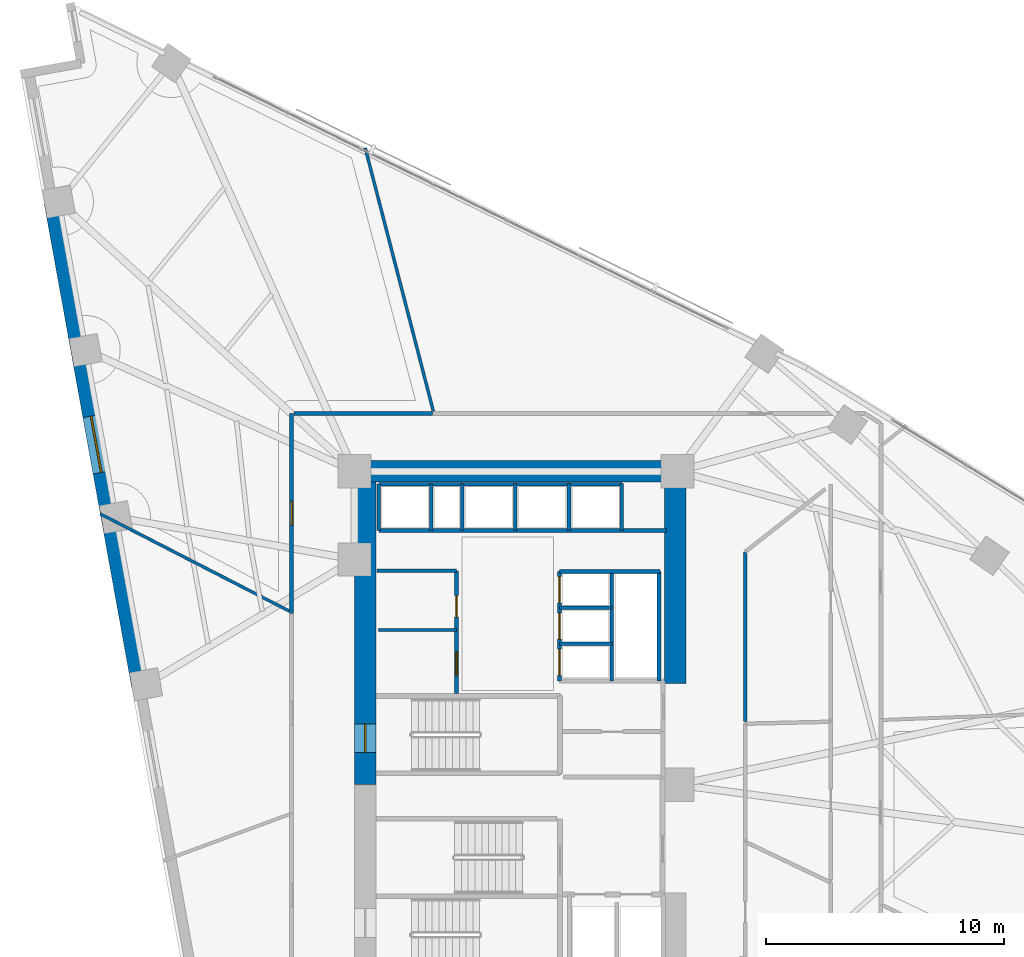
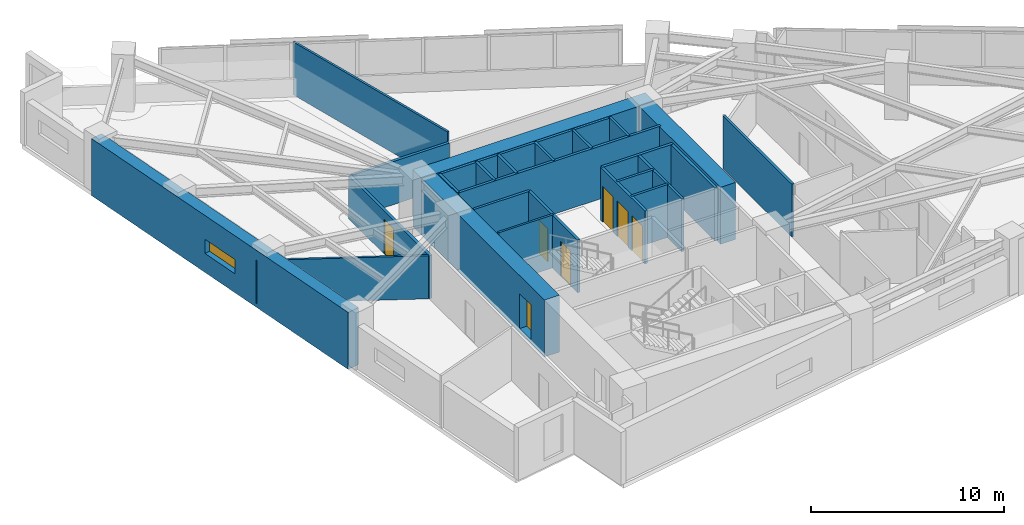
# One storey, part 14 of 19: 27 walls, 7 doors, 1 window, 8 openings.
"""IFC4 building model written with IfcOpenShell, lengths in metres."""

from ifc_helpers import new_model, si_unit, direction, frame, frame_2d, origin, place, context, subcontext, project, spatial, rectangle, extrude, material, layer, layer_set, type_object, element, fill, save


model = new_model("IFC4")

# Units and contexts
model_context = context("Model", 3, precision=1e-05, world=origin(), true_north=direction((0.0, 1.0)))
body_context = subcontext(model_context, "Body", "Model", "MODEL_VIEW")
ifc_project = project(units=[si_unit("LENGTHUNIT", "METRE"), si_unit("AREAUNIT", "SQUARE_METRE"), si_unit("VOLUMEUNIT", "CUBIC_METRE"), si_unit("PLANEANGLEUNIT", "RADIAN"), si_unit("MASSUNIT", "GRAM", prefix="KILO")], contexts=[model_context])

# Site, building, storey
site_placement = place(None, origin())
site = spatial("IfcSite", under=ifc_project, at=site_placement, CompositionType="ELEMENT")
building_placement = place(site_placement, origin())
building = spatial("IfcBuilding", under=site, at=building_placement, Name="Narakoshi Arena Tower", CompositionType="ELEMENT")
storey_placement = place(building_placement, frame((0.0, 0.0, 113.699951171875)))
storey = spatial("IfcBuildingStorey", under=building, at=storey_placement, Name="L30", CompositionType="ELEMENT", Elevation=113.699951171875)

# Wall, opening, door
ifc_material_1 = material(Name="Concrete C60/75", Category="concrete")
ifc_layer_1 = layer(ifc_material_1, 0.89990234375)
ifc_layer_set_1 = layer_set([ifc_layer_1], Name="Concrete C60/75")
wall_type_1 = type_object("IfcWallType", Name="WL-CORE-900", PredefinedType="SHEAR", material=ifc_layer_set_1)
wall_1_placement = place(storey_placement, frame((72.449951171875, 43.35009765625, -0.260009765625), z_axis=(0.0, 0.0, 1.0), x_axis=(0.0, 1.0, 0.0)))
wall_1 = element("IfcWall", 1, at=wall_1_placement, inside=storey, type_object=wall_type_1, Name="L30 Main Core Shear Wall CW-MN-W", PredefinedType="SHEAR", context=body_context, shape_type="SweptSolid", body=[
    extrude(rectangle(XDim=12.699951171875, YDim=0.89990234375, at=frame_2d((6.35009765625, 0.0))), origin(), (0.0, 0.0, 1.0), 3.60009765625),
])
opening_1_placement = place(wall_1_placement, frame((1.35009765625, 0.0, 0.260009765625)))
opening_1 = element("IfcOpeningElement", 2, at=opening_1_placement, cuts=wall_1, Name="Opening D-03", PredefinedType="OPENING", context=body_context, shape_type="SweptSolid", body=[
    extrude(rectangle(XDim=1.199951171875, YDim=2.199951171875, at=frame_2d((0.60009765625, 1.10009765625))), frame((0.0, 0.4599609375, 0.0), z_axis=(0.0, -1.0, 0.0), x_axis=(1.0, 0.0, 0.0)), (0.0, 0.0, 1.0), 0.919921875),
])
ifc_material_2 = material(Name="Painted galvanized steel", Category="steel")
door_type_1 = type_object("IfcDoorType", Name="DR-STR-1200", OperationType="NOTDEFINED", PredefinedType="USERDEFINED", material=ifc_material_2)
door_1_placement = place(opening_1_placement, frame((1.199951171875, 0.0, 0.0), z_axis=(0.0, 0.0, 1.0), x_axis=(-1.0, 0.0, 0.0)))
door_1 = element("IfcDoor", 3, at=door_1_placement, inside=storey, type_object=door_type_1, Name="DR-L30-007", ObjectType="EXITDOOR", OperationType="SINGLE_SWING_LEFT", OverallHeight=2.199951171875, OverallWidth=1.199951171875, PredefinedType="USERDEFINED", context=body_context, shape_type="SweptSolid", body=[
    extrude(rectangle(XDim=1.199951171875, YDim=2.199951171875, at=frame_2d((0.60009765625, 1.10009765625))), frame((0.0, 0.02490234375, 0.0), z_axis=(0.0, -1.0, 0.0), x_axis=(1.0, 0.0, 0.0)), (0.0, 0.0, 1.0), 0.050048828125),
])
fill(opening_1, door_1)

# Walls
wall_2_placement = place(storey_placement, frame((72.0, 56.5, -0.260009765625), z_axis=(0.0, 0.0, 1.0), x_axis=(1.0, 0.0, 0.0)))
element("IfcWall", 4, at=wall_2_placement, inside=storey, type_object=wall_type_1, Name="L30 Main Core Shear Wall CW-MN-N", PredefinedType="SHEAR", context=body_context, shape_type="SweptSolid", body=[
    extrude(rectangle(XDim=13.89990234375, YDim=0.89990234375, at=frame_2d((6.949951171875, 0.0))), origin(), (0.0, 0.0, 1.0), 3.60009765625),
])
wall_3_placement = place(storey_placement, frame((85.449951171875, 47.60009765625, -0.260009765625), z_axis=(0.0, 0.0, 1.0), x_axis=(0.0, 1.0, 0.0)))
element("IfcWall", 5, at=wall_3_placement, inside=storey, type_object=wall_type_1, Name="L30 Main Core Shear Wall CW-MN-E", PredefinedType="SHEAR", context=body_context, shape_type="SweptSolid", body=[
    extrude(rectangle(XDim=8.449951171875, YDim=0.89990234375, at=frame_2d((4.22509765625, 0.0))), origin(), (0.0, 0.0, 1.0), 3.60009765625),
])

# Wall, opening, door
ifc_material_3 = material(Name="Gypsum plasterboard fire-rated partition")
ifc_layer_2 = layer(ifc_material_3, 0.1650390625)
ifc_layer_set_2 = layer_set([ifc_layer_2], Name="Gypsum plasterboard fire-rated partition")
wall_type_2 = type_object("IfcWallType", Name="WL-CORR-165", PredefinedType="PARTITIONING", material=ifc_layer_set_2)
wall_4_placement = place(storey_placement, frame((69.364990234375, 58.927978515625, 0.0), z_axis=(0.0, 0.0, 1.0), x_axis=(0.0, -1.0, 0.0)))
wall_4 = element("IfcWall", 6, at=wall_4_placement, inside=storey, type_object=wall_type_2, Name="L30 Corridor Partition 08-1", PredefinedType="PARTITIONING", context=body_context, shape_type="SweptSolid", body=[
    extrude(rectangle(XDim=8.383544921875, YDim=0.1650390625, at=frame_2d((4.19189453125, 0.0))), origin(), (0.0, 0.0, 1.0), 2.72509765625),
])
opening_2_placement = place(wall_4_placement, frame((3.691650390625, 0.0, 0.0)))
opening_2 = element("IfcOpeningElement", 7, at=opening_2_placement, cuts=wall_4, Name="Opening D-06", PredefinedType="OPENING", context=body_context, shape_type="SweptSolid", body=[
    extrude(rectangle(XDim=1.0, YDim=2.199951171875, at=frame_2d((0.5, 1.10009765625))), frame((0.0, 0.092529296875, 0.0), z_axis=(0.0, -1.0, 0.0), x_axis=(1.0, 0.0, 0.0)), (0.0, 0.0, 1.0), 0.18505859375),
])
ifc_material_4 = material(Name="Stained oak solid-core timber", Category="wood")
door_type_2 = type_object("IfcDoorType", Name="DR-OFF-1000", OperationType="NOTDEFINED", PredefinedType="DOOR", material=ifc_material_4)
door_2_placement = place(opening_2_placement, frame((1.0, 0.0, 0.0), z_axis=(0.0, 0.0, 1.0), x_axis=(-1.0, 0.0, 0.0)))
door_2 = element("IfcDoor", 8, at=door_2_placement, inside=storey, type_object=door_type_2, Name="DR-L30-022", OperationType="SINGLE_SWING_LEFT", OverallHeight=2.199951171875, OverallWidth=1.0, PredefinedType="DOOR", context=body_context, shape_type="SweptSolid", body=[
    extrude(rectangle(XDim=1.0, YDim=2.199951171875, at=frame_2d((0.5, 1.10009765625))), frame((0.0, 0.02490234375, 0.0), z_axis=(0.0, -1.0, 0.0), x_axis=(1.0, 0.0, 0.0)), (0.0, 0.0, 1.0), 0.050048828125),
])
fill(opening_2, door_2)

# Wall
wall_5_placement = place(storey_placement, frame((75.271484375, 58.927978515625, 0.0), z_axis=(0.0, 0.0, 1.0), x_axis=(-1.0, 0.0, 0.0)))
element("IfcWall", 9, at=wall_5_placement, inside=storey, type_object=wall_type_2, Name="L30 Corridor Partition 08-2", PredefinedType="PARTITIONING", context=body_context, shape_type="SweptSolid", body=[
    extrude(rectangle(XDim=5.81201171875, YDim=0.1650390625, at=frame_2d((2.906005859375, 0.0))), origin(), (0.0, 0.0, 1.0), 2.72509765625),
])

# Wall, opening, window
ifc_layer_3 = layer(ifc_material_1, 0.699951171875)
ifc_layer_set_3 = layer_set([ifc_layer_3], Name="Concrete C60/75")
wall_type_3 = type_object("IfcWallType", Name="WL-LEG-700", PredefinedType="SHEAR", material=ifc_layer_set_3)
wall_6_placement = place(storey_placement, frame((59.327880859375, 67.767822265625, -0.260009765625), z_axis=(0.0, 0.0, 1.0), x_axis=(0.177933213615, -0.984042565895, 0.0)))
wall_6 = element("IfcWall", 10, at=wall_6_placement, inside=storey, type_object=wall_type_3, Name="L30 Architectural Concrete Structural Wall LEGB-2", PredefinedType="SHEAR", context=body_context, shape_type="SweptSolid", body=[
    extrude(rectangle(XDim=20.57861328125, YDim=0.699951171875, at=frame_2d((10.289306640625, 0.0))), origin(), (0.0, 0.0, 1.0), 3.60009765625),
])
opening_3_placement = place(wall_6_placement, frame((9.10009765625, 0.0, 1.199951171875)))
opening_3 = element("IfcOpeningElement", 11, at=opening_3_placement, cuts=wall_6, Name="Opening WN-01", PredefinedType="OPENING", context=body_context, shape_type="SweptSolid", body=[
    extrude(rectangle(XDim=2.39990234375, YDim=0.89990234375, at=frame_2d((1.199951171875, 0.449951171875))), frame((0.0, 0.35986328125, 0.0), z_axis=(0.0, -1.0, 0.0), x_axis=(1.0, 0.0, 0.0)), (0.0, 0.0, 1.0), 0.719970703125),
])
ifc_material_5 = material(Name="Bronze-tinted low-E laminated glass", Category="glass")
window_type = type_object("IfcWindowType", Name="WIN-SLT-24x09", PartitioningType="SINGLE_PANEL", PredefinedType="WINDOW", material=ifc_material_5)
window_placement = place(opening_3_placement, origin())
window = element("IfcWindow", 12, at=window_placement, inside=storey, type_object=window_type, Name="L30 LEGB2 Horizontal Slot Window 1", OverallHeight=0.89990234375, OverallWidth=2.39990234375, PartitioningType="SINGLE_PANEL", PredefinedType="WINDOW", context=body_context, shape_type="SweptSolid", body=[
    extrude(rectangle(XDim=2.39990234375, YDim=0.89990234375, at=frame_2d((1.199951171875, 0.449951171875))), frame((0.0, 0.030029296875, 0.0), z_axis=(0.0, -1.0, 0.0), x_axis=(1.0, 0.0, 0.0)), (0.0, 0.0, 1.0), 0.06005859375),
])
fill(opening_3, window)

# Walls
ifc_layer_4 = layer(ifc_material_3, 0.125)
ifc_layer_set_4 = layer_set([ifc_layer_4], Name="Gypsum plasterboard fire-rated partition")
wall_type_4 = type_object("IfcWallType", Name="WL-PART-125", PredefinedType="PARTITIONING", material=ifc_layer_set_4)
wall_7_placement = place(storey_placement, frame((73.0, 49.85009765625, 0.0), z_axis=(0.0, 0.0, 1.0), x_axis=(1.0, 0.0, 0.0)))
element("IfcWall", 13, at=wall_7_placement, inside=storey, type_object=wall_type_4, Name="L30 Core Wall RCL-LR-D0", PredefinedType="PARTITIONING", context=body_context, shape_type="SweptSolid", body=[
    extrude(rectangle(XDim=3.280029296875, YDim=0.125, at=frame_2d((1.64013671875, 0.0))), origin(), (0.0, 0.0, 1.0), 3.340087890625),
])
wall_8_placement = place(storey_placement, frame((75.306884765625, 59.0224609375, 0.0), z_axis=(0.0, 0.0, 1.0), x_axis=(-0.250514518309, 0.968112842656, 0.0)))
element("IfcWall", 14, at=wall_8_placement, inside=storey, type_object=wall_type_4, Name="L30 Inter-Room Partition 07-08", PredefinedType="PARTITIONING", context=body_context, shape_type="SweptSolid", body=[
    extrude(rectangle(XDim=11.4140625, YDim=0.125, at=frame_2d((5.70703125, 0.0))), origin(), (0.0, 0.0, 1.0), 3.340087890625),
])
wall_9_placement = place(storey_placement, frame((69.2705078125, 50.6337890625, 0.0), z_axis=(0.0, 0.0, 1.0), x_axis=(-0.889409837341, 0.457110644418, 0.0)))
element("IfcWall", 15, at=wall_9_placement, inside=storey, type_object=wall_type_4, Name="L30 Inter-Room Partition 08-09", PredefinedType="PARTITIONING", context=body_context, shape_type="SweptSolid", body=[
    extrude(rectangle(XDim=8.9248046875, YDim=0.125, at=frame_2d((4.46240234375, 0.0))), origin(), (0.0, 0.0, 1.0), 2.72509765625),
])
ifc_material_6 = material(Name="Concrete C40/50", Category="concrete")
ifc_layer_5 = layer(ifc_material_6, 0.280029296875)
ifc_layer_set_5 = layer_set([ifc_layer_5], Name="Concrete C40/50")
wall_type_5 = type_object("IfcWallType", Name="WL-RISER-280", PredefinedType="PLUMBINGWALL", material=ifc_layer_set_5)
for number, where, z_axis, x_axis, name in (
    (16, (80.60009765625, 49.260009765625, 0.0), (0.0, 0.0, 1.0), (1.0, 0.0, 0.0), "L30 Core Wall MR-D1"),
    (17, (80.60009765625, 50.780029296875, 0.0), (0.0, 0.0, 1.0), (1.0, 0.0, 0.0), "L30 Core Wall MR-D2"),
):
    element("IfcWall", number, at=place(storey_placement, frame(where, z_axis=z_axis, x_axis=x_axis)), inside=storey, type_object=wall_type_5, Name=name, PredefinedType="PLUMBINGWALL", context=body_context, shape_type="SweptSolid", body=[
        extrude(rectangle(XDim=2.199951171875, YDim=0.14990234375, at=frame_2d((1.10009765625, 0.0))), origin(), (0.0, 0.0, 1.0), 3.340087890625),
    ])
wall_10_placement = place(storey_placement, frame((82.800048828125, 47.699951171875, 0.0), z_axis=(0.0, 0.0, 1.0), x_axis=(0.0, 1.0, 0.0)))
element("IfcWall", 18, at=wall_10_placement, inside=storey, type_object=wall_type_5, Name="L30 Core Wall MR-E", PredefinedType="PLUMBINGWALL", context=body_context, shape_type="SweptSolid", body=[
    extrude(rectangle(XDim=4.60009765625, YDim=0.14990234375, at=frame_2d((2.300048828125, 0.0))), origin(), (0.0, 0.0, 1.0), 3.340087890625),
])
for number, where, z_axis, x_axis, name in (
    (19, (73.02001953125, 54.02001953125, 0.0), (0.0, 0.0, 1.0), (0.0, 1.0, 0.0), "L30 Core Wall OBS-W"),
    (20, (75.219970703125, 54.02001953125, 0.0), (0.0, 0.0, 1.0), (0.0, 1.0, 0.0), "L30 Core Wall OBS-M"),
):
    element("IfcWall", number, at=place(storey_placement, frame(where, z_axis=z_axis, x_axis=x_axis)), inside=storey, type_object=wall_type_5, Name=name, PredefinedType="PLUMBINGWALL", context=body_context, shape_type="SweptSolid", body=[
        extrude(rectangle(XDim=1.93994140625, YDim=0.14990234375, at=frame_2d((0.969970703125, 0.0))), origin(), (0.0, 0.0, 1.0), 3.340087890625),
    ])
for number, where, z_axis, x_axis, name in (
    (21, (78.75, 54.02001953125, 0.0), (0.0, 0.0, 1.0), (0.0, 1.0, 0.0), "L30 Core Wall HR-D1"),
    (22, (81.0, 54.02001953125, 0.0), (0.0, 0.0, 1.0), (0.0, 1.0, 0.0), "L30 Core Wall HR-D2"),
):
    element("IfcWall", number, at=place(storey_placement, frame(where, z_axis=z_axis, x_axis=x_axis)), inside=storey, type_object=wall_type_5, Name=name, PredefinedType="PLUMBINGWALL", context=body_context, shape_type="SweptSolid", body=[
        extrude(rectangle(XDim=1.9599609375, YDim=0.14990234375, at=frame_2d((0.97998046875, 0.0))), origin(), (0.0, 0.0, 1.0), 3.340087890625),
    ])

# Wall, openings, doors
ifc_material_7 = material(Name="Concrete C50/60", Category="concrete")
ifc_layer_6 = layer(ifc_material_7, 0.35009765625)
ifc_layer_set_6 = layer_set([ifc_layer_6], Name="Concrete C50/60")
wall_type_6 = type_object("IfcWallType", Name="WL-SHAFT-350", PredefinedType="SOLIDWALL", material=ifc_layer_set_6)
wall_11_placement = place(storey_placement, frame((76.280029296875, 47.179931640625, 0.0), z_axis=(0.0, 0.0, 1.0), x_axis=(0.0, 1.0, 0.0)))
wall_11 = element("IfcWall", 23, at=wall_11_placement, inside=storey, type_object=wall_type_6, Name="L30 Core Wall LR-E", PredefinedType="SOLIDWALL", context=body_context, shape_type="SweptSolid", body=[
    extrude(rectangle(XDim=5.14013671875, YDim=0.159912109375, at=frame_2d((2.570068359375, 0.0))), origin(), (0.0, 0.0, 1.0), 3.340087890625),
])
opening_4_placement = place(wall_11_placement, frame((0.75, 0.0, 0.0)))
opening_4 = element("IfcOpeningElement", 24, at=opening_4_placement, cuts=wall_11, Name="Opening D-06", PredefinedType="OPENING", context=body_context, shape_type="SweptSolid", body=[
    extrude(rectangle(XDim=1.0, YDim=2.199951171875, at=frame_2d((0.5, 1.10009765625))), frame((0.0, 0.08984375, 0.0), z_axis=(0.0, -1.0, 0.0), x_axis=(1.0, 0.0, 0.0)), (0.0, 0.0, 1.0), 0.179931640625),
])
opening_5_placement = place(wall_11_placement, frame((3.199951171875, 0.0, 0.0)))
opening_5 = element("IfcOpeningElement", 25, at=opening_5_placement, cuts=wall_11, Name="Opening D-08", PredefinedType="OPENING", context=body_context, shape_type="SweptSolid", body=[
    extrude(rectangle(XDim=0.89990234375, YDim=2.10009765625, at=frame_2d((0.449951171875, 1.050048828125))), frame((0.0, 0.08984375, 0.0), z_axis=(0.0, -1.0, 0.0), x_axis=(1.0, 0.0, 0.0)), (0.0, 0.0, 1.0), 0.179931640625),
])
door_3_placement = place(opening_4_placement, frame((1.0, 0.0, 0.0), z_axis=(0.0, 0.0, 1.0), x_axis=(-1.0, 0.0, 0.0)))
door_3 = element("IfcDoor", 26, at=door_3_placement, inside=storey, type_object=door_type_2, Name="DR-L30-010", OperationType="SINGLE_SWING_LEFT", OverallHeight=2.199951171875, OverallWidth=1.0, PredefinedType="DOOR", context=body_context, shape_type="SweptSolid", body=[
    extrude(rectangle(XDim=1.0, YDim=2.199951171875, at=frame_2d((0.5, 1.10009765625))), frame((0.0, 0.02490234375, 0.0), z_axis=(0.0, -1.0, 0.0), x_axis=(1.0, 0.0, 0.0)), (0.0, 0.0, 1.0), 0.050048828125),
])
fill(opening_4, door_3)
ifc_material_8 = material(Name="Moisture-resistant laminate timber", Category="wood")
door_type_3 = type_object("IfcDoorType", Name="DR-WC-900", OperationType="NOTDEFINED", PredefinedType="DOOR", material=ifc_material_8)
door_4_placement = place(opening_5_placement, frame((0.89990234375, 0.0, 0.0), z_axis=(0.0, 0.0, 1.0), x_axis=(-1.0, 0.0, 0.0)))
door_4 = element("IfcDoor", 27, at=door_4_placement, inside=storey, type_object=door_type_3, Name="DR-L30-011", OperationType="SINGLE_SWING_RIGHT", OverallHeight=2.10009765625, OverallWidth=0.89990234375, PredefinedType="DOOR", context=body_context, shape_type="SweptSolid", body=[
    extrude(rectangle(XDim=0.89990234375, YDim=2.10009765625, at=frame_2d((0.449951171875, 1.050048828125))), frame((0.0, 0.02490234375, 0.0), z_axis=(0.0, -1.0, 0.0), x_axis=(1.0, 0.0, 0.0)), (0.0, 0.0, 1.0), 0.050048828125),
])
fill(opening_5, door_4)

# Wall
wall_12_placement = place(storey_placement, frame((72.949951171875, 52.320068359375, 0.0), z_axis=(0.0, 0.0, 1.0), x_axis=(1.0, 0.0, 0.0)))
element("IfcWall", 28, at=wall_12_placement, inside=storey, type_object=wall_type_6, Name="L30 Core Wall LR-N", PredefinedType="SOLIDWALL", context=body_context, shape_type="SweptSolid", body=[
    extrude(rectangle(XDim=3.330078125, YDim=0.14990234375, at=frame_2d((1.6650390625, 0.0))), origin(), (0.0, 0.0, 1.0), 3.340087890625),
])

# Wall, openings, doors
wall_13_placement = place(storey_placement, frame((80.60009765625, 47.699951171875, 0.0), z_axis=(0.0, 0.0, 1.0), x_axis=(0.0, 1.0, 0.0)))
wall_13 = element("IfcWall", 29, at=wall_13_placement, inside=storey, type_object=wall_type_6, Name="L30 Core Wall MR-W", PredefinedType="SOLIDWALL", context=body_context, shape_type="SweptSolid", body=[
    extrude(rectangle(XDim=4.60009765625, YDim=0.159912109375, at=frame_2d((2.300048828125, 0.0))), origin(), (0.0, 0.0, 1.0), 3.340087890625),
])
opening_6_placement = place(wall_13_placement, frame((0.239990234375, 0.0, 0.0)))
opening_6 = element("IfcOpeningElement", 30, at=opening_6_placement, cuts=wall_13, Name="Opening LD-01", PredefinedType="OPENING", context=body_context, shape_type="SweptSolid", body=[
    extrude(rectangle(XDim=1.10009765625, YDim=2.25, at=frame_2d((0.550048828125, 1.125))), frame((0.0, 0.08984375, 0.0), z_axis=(0.0, -1.0, 0.0), x_axis=(1.0, 0.0, 0.0)), (0.0, 0.0, 1.0), 0.179931640625),
])
opening_7_placement = place(wall_13_placement, frame((1.760009765625, 0.0, 0.0)))
opening_7 = element("IfcOpeningElement", 31, at=opening_7_placement, cuts=wall_13, Name="Opening LD-01", PredefinedType="OPENING", context=body_context, shape_type="SweptSolid", body=[
    extrude(rectangle(XDim=1.10009765625, YDim=2.25, at=frame_2d((0.550048828125, 1.125))), frame((0.0, 0.08984375, 0.0), z_axis=(0.0, -1.0, 0.0), x_axis=(1.0, 0.0, 0.0)), (0.0, 0.0, 1.0), 0.179931640625),
])
opening_8_placement = place(wall_13_placement, frame((3.280029296875, 0.0, 0.0)))
opening_8 = element("IfcOpeningElement", 32, at=opening_8_placement, cuts=wall_13, Name="Opening LD-01", PredefinedType="OPENING", context=body_context, shape_type="SweptSolid", body=[
    extrude(rectangle(XDim=1.10009765625, YDim=2.25, at=frame_2d((0.550048828125, 1.125))), frame((0.0, 0.08984375, 0.0), z_axis=(0.0, -1.0, 0.0), x_axis=(1.0, 0.0, 0.0)), (0.0, 0.0, 1.0), 0.179931640625),
])
ifc_material_9 = material(Name="Brushed bronze stainless steel", Category="steel")
door_type_4 = type_object("IfcDoorType", Name="DR-LFT-1100", OperationType="DOUBLE_DOOR_SLIDING", PredefinedType="DOOR", material=ifc_material_9)
door_5_placement = place(opening_6_placement, frame((1.10009765625, 0.0, 0.0), z_axis=(0.0, 0.0, 1.0), x_axis=(-1.0, 0.0, 0.0)))
door_5 = element("IfcDoor", 33, at=door_5_placement, inside=storey, type_object=door_type_4, Name="DR-L30-012", OperationType="DOUBLE_DOOR_SLIDING", OverallHeight=2.25, OverallWidth=1.10009765625, PredefinedType="DOOR", context=body_context, shape_type="SweptSolid", body=[
    extrude(rectangle(XDim=1.10009765625, YDim=2.25, at=frame_2d((0.550048828125, 1.125))), frame((0.0, 0.02490234375, 0.0), z_axis=(0.0, -1.0, 0.0), x_axis=(1.0, 0.0, 0.0)), (0.0, 0.0, 1.0), 0.050048828125),
])
fill(opening_6, door_5)
door_6_placement = place(opening_7_placement, frame((1.10009765625, 0.0, 0.0), z_axis=(0.0, 0.0, 1.0), x_axis=(-1.0, 0.0, 0.0)))
door_6 = element("IfcDoor", 34, at=door_6_placement, inside=storey, type_object=door_type_4, Name="DR-L30-013", OperationType="DOUBLE_DOOR_SLIDING", OverallHeight=2.25, OverallWidth=1.10009765625, PredefinedType="DOOR", context=body_context, shape_type="SweptSolid", body=[
    extrude(rectangle(XDim=1.10009765625, YDim=2.25, at=frame_2d((0.550048828125, 1.125))), frame((0.0, 0.02490234375, 0.0), z_axis=(0.0, -1.0, 0.0), x_axis=(1.0, 0.0, 0.0)), (0.0, 0.0, 1.0), 0.050048828125),
])
fill(opening_7, door_6)
door_7_placement = place(opening_8_placement, frame((1.10009765625, 0.0, 0.0), z_axis=(0.0, 0.0, 1.0), x_axis=(-1.0, 0.0, 0.0)))
door_7 = element("IfcDoor", 35, at=door_7_placement, inside=storey, type_object=door_type_4, Name="DR-L30-014", OperationType="DOUBLE_DOOR_SLIDING", OverallHeight=2.25, OverallWidth=1.10009765625, PredefinedType="DOOR", context=body_context, shape_type="SweptSolid", body=[
    extrude(rectangle(XDim=1.10009765625, YDim=2.25, at=frame_2d((0.550048828125, 1.125))), frame((0.0, 0.02490234375, 0.0), z_axis=(0.0, -1.0, 0.0), x_axis=(1.0, 0.0, 0.0)), (0.0, 0.0, 1.0), 0.050048828125),
])
fill(opening_8, door_7)

# Walls
wall_14_placement = place(storey_placement, frame((80.60009765625, 52.300048828125, 0.0), z_axis=(0.0, 0.0, 1.0), x_axis=(1.0, 0.0, 0.0)))
element("IfcWall", 36, at=wall_14_placement, inside=storey, type_object=wall_type_6, Name="L30 Core Wall MR-N", PredefinedType="SOLIDWALL", context=body_context, shape_type="SweptSolid", body=[
    extrude(rectangle(XDim=4.219970703125, YDim=0.159912109375, at=frame_2d((2.10986328125, 0.0))), origin(), (0.0, 0.0, 1.0), 3.340087890625),
])
wall_15_placement = place(storey_placement, frame((84.780029296875, 47.699951171875, 0.0), z_axis=(0.0, 0.0, 1.0), x_axis=(0.0, 1.0, 0.0)))
element("IfcWall", 37, at=wall_15_placement, inside=storey, type_object=wall_type_6, Name="L30 Core Wall MR-E2", PredefinedType="SOLIDWALL", context=body_context, shape_type="SweptSolid", body=[
    extrude(rectangle(XDim=4.60009765625, YDim=0.159912109375, at=frame_2d((2.300048828125, 0.0))), origin(), (0.0, 0.0, 1.0), 3.340087890625),
])
wall_16_placement = place(storey_placement, frame((73.02001953125, 54.02001953125, 0.0), z_axis=(0.0, 0.0, 1.0), x_axis=(1.0, 0.0, 0.0)))
element("IfcWall", 38, at=wall_16_placement, inside=storey, type_object=wall_type_6, Name="L30 Core Wall NSHF-S", PredefinedType="SOLIDWALL", context=body_context, shape_type="SweptSolid", body=[
    extrude(rectangle(XDim=12.080078125, YDim=0.159912109375, at=frame_2d((6.0400390625, 0.0))), origin(), (0.0, 0.0, 1.0), 3.340087890625),
])
wall_17_placement = place(storey_placement, frame((73.02001953125, 55.9599609375, 0.0), z_axis=(0.0, 0.0, 1.0), x_axis=(1.0, 0.0, 0.0)))
element("IfcWall", 39, at=wall_17_placement, inside=storey, type_object=wall_type_6, Name="L30 Core Wall OBS-N", PredefinedType="SOLIDWALL", context=body_context, shape_type="SweptSolid", body=[
    extrude(rectangle(XDim=3.5, YDim=0.14990234375, at=frame_2d((1.75, 0.0))), origin(), (0.0, 0.0, 1.0), 3.340087890625),
])
wall_18_placement = place(storey_placement, frame((76.52001953125, 54.02001953125, 0.0), z_axis=(0.0, 0.0, 1.0), x_axis=(0.0, 1.0, 0.0)))
element("IfcWall", 40, at=wall_18_placement, inside=storey, type_object=wall_type_6, Name="L30 Core Wall OBS-E", PredefinedType="SOLIDWALL", context=body_context, shape_type="SweptSolid", body=[
    extrude(rectangle(XDim=1.93994140625, YDim=0.14990234375, at=frame_2d((0.969970703125, 0.0))), origin(), (0.0, 0.0, 1.0), 3.340087890625),
])
wall_19_placement = place(storey_placement, frame((83.219970703125, 54.02001953125, 0.0), z_axis=(0.0, 0.0, 1.0), x_axis=(0.0, 1.0, 0.0)))
element("IfcWall", 41, at=wall_19_placement, inside=storey, type_object=wall_type_6, Name="L30 Core Wall HR-E", PredefinedType="SOLIDWALL", context=body_context, shape_type="SweptSolid", body=[
    extrude(rectangle(XDim=1.9599609375, YDim=0.14990234375, at=frame_2d((0.97998046875, 0.0))), origin(), (0.0, 0.0, 1.0), 3.340087890625),
])
wall_20_placement = place(storey_placement, frame((76.52001953125, 55.9599609375, 0.0), z_axis=(0.0, 0.0, 1.0), x_axis=(1.0, 0.0, 0.0)))
element("IfcWall", 42, at=wall_20_placement, inside=storey, type_object=wall_type_6, Name="L30 Core Wall HR-N", PredefinedType="SOLIDWALL", context=body_context, shape_type="SweptSolid", body=[
    extrude(rectangle(XDim=6.699951171875, YDim=0.14990234375, at=frame_2d((3.35009765625, 0.0))), origin(), (0.0, 0.0, 1.0), 3.340087890625),
])
ifc_material_10 = material(Name="Moisture-resistant cement-board partition")
ifc_layer_7 = layer(ifc_material_10, 0.14501953125)
ifc_layer_set_7 = layer_set([ifc_layer_7], Name="Moisture-resistant cement-board partition")
wall_type_7 = type_object("IfcWallType", Name="WL-WET-145", PredefinedType="PARTITIONING", material=ifc_layer_set_7)
wall_21_placement = place(storey_placement, frame((88.39990234375, 45.99462890625, 0.0), z_axis=(0.0, 0.0, 1.0), x_axis=(0.0, 1.0, 0.0)))
element("IfcWall", 43, at=wall_21_placement, inside=storey, type_object=wall_type_7, Name="L30 Corridor Partition 06-2", PredefinedType="PARTITIONING", context=body_context, shape_type="SweptSolid", body=[
    extrude(rectangle(XDim=7.130859375, YDim=0.14501953125, at=frame_2d((3.5654296875, 0.0))), origin(), (0.0, 0.0, 1.0), 3.340087890625),
])

save(model, "model.ifc")
